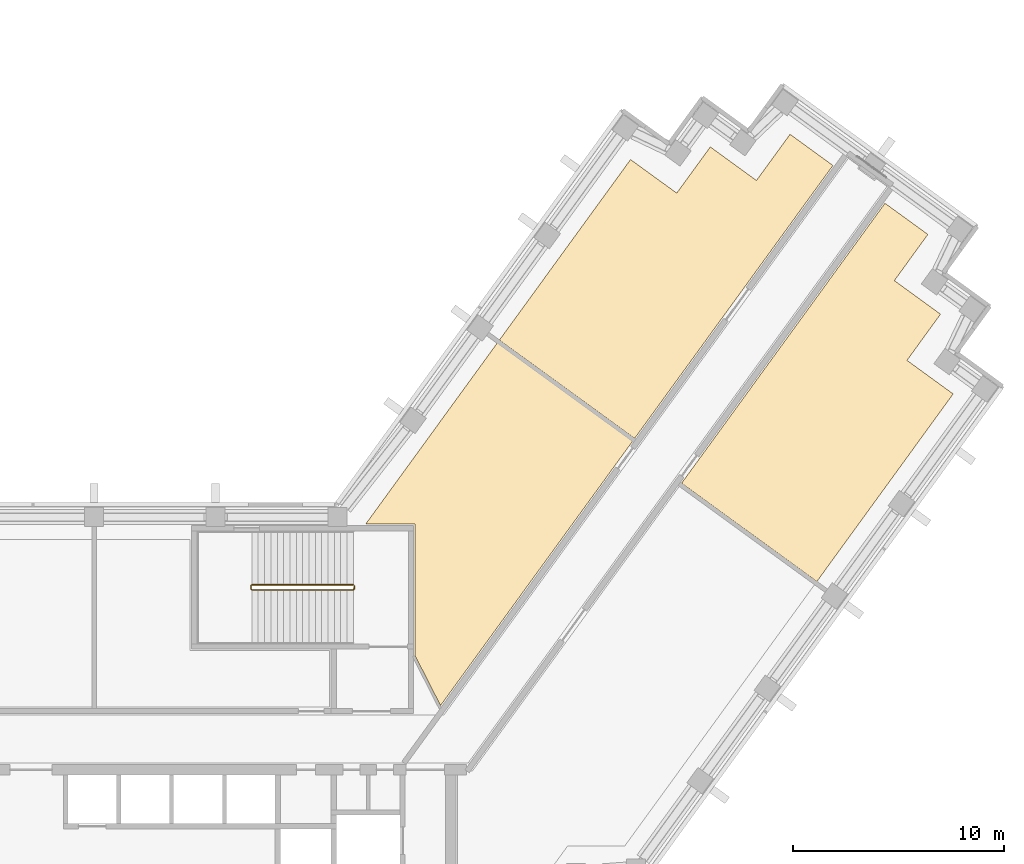
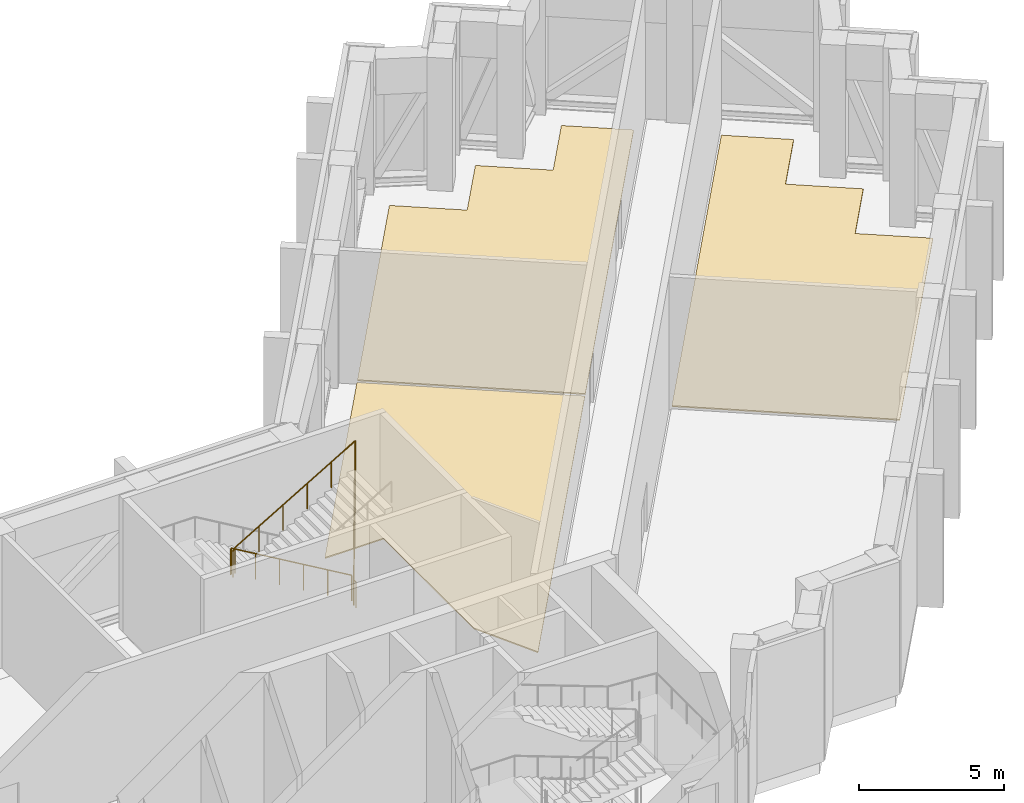
# One storey, part 16 of 16: 3 coverings, 1 railing.
"""IFC4 building model written with IfcOpenShell, lengths in metres."""

from ifc_helpers import new_model, si_unit, direction, frame, origin, origin_2d, place, context, subcontext, project, spatial, polyline, circle, outline, extrude, material, layer, layer_set, type_object, element, save


model = new_model("IFC4")

# Units and contexts
model_context = context("Model", 3, precision=1e-05, world=origin(), true_north=direction((0.0, 1.0)))
body_context = subcontext(model_context, "Body", "Model", "MODEL_VIEW")
ifc_project = project(units=[si_unit("LENGTHUNIT", "METRE"), si_unit("AREAUNIT", "SQUARE_METRE"), si_unit("VOLUMEUNIT", "CUBIC_METRE"), si_unit("PLANEANGLEUNIT", "RADIAN"), si_unit("MASSUNIT", "GRAM", prefix="KILO")], contexts=[model_context])

# Site, building, storey
site_placement = place(None, origin())
site = spatial("IfcSite", under=ifc_project, at=site_placement, CompositionType="ELEMENT")
building_placement = place(site_placement, origin())
building = spatial("IfcBuilding", under=site, at=building_placement, Name="Quipu Civic Tower", CompositionType="ELEMENT")
storey_placement = place(building_placement, frame((0.0, 0.0, 133.0)))
storey = spatial("IfcBuildingStorey", under=building, at=storey_placement, Name="L31", CompositionType="ELEMENT", Elevation=133.0)

# Coverings
ifc_material_1 = material(Name="Sealed cement screed")
ifc_layer = layer(ifc_material_1, 0.050048828125)
ifc_layer_set = layer_set([ifc_layer], Name="Sealed cement screed")
covering_type = type_object("IfcCoveringType", Name="Sealed screed floor finish 50", PredefinedType="FLOORING", material=ifc_layer_set)
covering_1_placement = place(storey_placement, origin())
element("IfcCovering", 1, at=covering_1_placement, inside=storey, type_object=covering_type, Name="Sealed screed floor finish 50", PredefinedType="FLOORING", context=body_context, shape_type="SweptSolid", body=[
    extrude(outline(polyline([(15.73193359375, 10.169921875), (21.971923828125, 18.758056640625), (28.37109375, 14.10888671875), (19.27197265625, 1.583984375), (18.070068359375, 3.94189453125), (18.070068359375, 10.1689453125), (15.73193359375, 10.169921875)])), origin(), (0.0, 0.0, 1.0), 0.050048828125),
])
covering_2_placement = place(storey_placement, origin())
element("IfcCovering", 2, at=covering_2_placement, inside=storey, type_object=covering_type, Name="Sealed screed floor finish 50", PredefinedType="FLOORING", context=body_context, shape_type="SweptSolid", body=[
    extrude(outline(polyline([(22.054931640625, 18.87109375), (28.258056640625, 27.409912109375), (30.44189453125, 25.823974609375), (32.030029296875, 28.008056640625), (34.212890625, 26.4208984375), (35.801025390625, 28.60498046875), (37.83203125, 27.1298828125), (28.4541015625, 14.221923828125), (22.054931640625, 18.87109375)])), origin(), (0.0, 0.0, 1.0), 0.050048828125),
])
covering_3_placement = place(storey_placement, origin())
element("IfcCovering", 3, at=covering_3_placement, inside=storey, type_object=covering_type, Name="Sealed screed floor finish 50", PredefinedType="FLOORING", context=body_context, shape_type="SweptSolid", body=[
    extrude(outline(polyline([(30.673095703125, 12.10302734375), (40.291015625, 25.343017578125), (42.322021484375, 23.867919921875), (40.736083984375, 21.68408203125), (42.9189453125, 20.096923828125), (41.3330078125, 17.910888671875), (43.51708984375, 16.324951171875), (37.072021484375, 7.4541015625), (30.673095703125, 12.10302734375)])), origin(), (0.0, 0.0, 1.0), 0.050048828125),
])

# Railing
ifc_material_2 = material(Name="Stainless steel", Category="steel")
railing_type = type_object("IfcRailingType", Name="Stair guard 1100", PredefinedType="GUARDRAIL", material=ifc_material_2)
railing_placement = place(storey_placement, frame((15.14990234375, 7.300048828125, 0.176513671875)))
element("IfcRailing", 4, at=railing_placement, inside=storey, type_object=railing_type, Name="Stair 4 guard", PredefinedType="GUARDRAIL", context=body_context, shape_type="SweptSolid", body=[
    extrude(circle(Radius=0.02392578125, at=origin_2d()), frame((0.0, 0.0, 1.076171875), z_axis=(-0.86192857992, 0.0, 0.507029706346), x_axis=(0.0, -1.0, 0.0)), (0.0, 0.0, 1.0), 5.568603515625),
    extrude(circle(Radius=0.02392578125, at=origin_2d()), frame((-4.7998046875, 0.0, 3.8994140625), z_axis=(-0.707106781187, -0.707106781187, 0.0), x_axis=(0.707106781187, -0.707106781187, 0.0)), (0.0, 0.0, 1.0), 0.07080078125),
    extrude(circle(Radius=0.02392578125, at=origin_2d()), frame((-4.849853515625, -0.050048828125, 3.8994140625), z_axis=(0.0, -1.0, 0.0), x_axis=(1.0, 0.0, 0.0)), (0.0, 0.0, 1.0), 0.14990234375),
    extrude(circle(Radius=0.02392578125, at=origin_2d()), frame((-4.849853515625, -0.199951171875, 3.8994140625), z_axis=(0.263171338983, -0.263171338983, 0.928160380902), x_axis=(0.707106781187, 0.707106781187, 0.0)), (0.0, 0.0, 1.0), 0.190185546875),
    extrude(circle(Radius=0.02392578125, at=origin_2d()), frame((-4.7998046875, -0.25, 4.076171875), z_axis=(0.86192857992, 0.0, 0.507029706346), x_axis=(0.0, 1.0, 0.0)), (0.0, 0.0, 1.0), 5.568603515625),
    extrude(circle(Radius=0.02392578125, at=origin_2d()), frame((0.0, -0.25, 6.8994140625), z_axis=(0.008336553618, 0.033305548356, -0.999410447375), x_axis=(-0.970072785993, 0.242814311512, 0.0)), (0.0, 0.0, 1.0), 6.00341796875),
    extrude(circle(Radius=0.02392578125, at=origin_2d()), frame((0.050048828125, -0.050048828125, 0.8994140625), z_axis=(0.0, -1.0, 0.0), x_axis=(1.0, 0.0, 0.0)), (0.0, 0.0, 1.0), 0.14990234375),
    extrude(circle(Radius=0.02099609375, at=origin_2d()), origin(), (0.0, 0.0, 1.0), 1.052001953125),
    extrude(circle(Radius=0.02099609375, at=origin_2d()), frame((-0.9599609375, 0.0, 0.564697265625)), (0.0, 0.0, 1.0), 1.052001953125),
    extrude(circle(Radius=0.02099609375, at=origin_2d()), frame((-1.919921875, 0.0, 1.12939453125)), (0.0, 0.0, 1.0), 1.052001953125),
    extrude(circle(Radius=0.02099609375, at=origin_2d()), frame((-2.8798828125, 0.0, 1.694091796875)), (0.0, 0.0, 1.0), 1.052001953125),
    extrude(circle(Radius=0.02099609375, at=origin_2d()), frame((-3.83984375, 0.0, 2.2587890625)), (0.0, 0.0, 1.0), 1.052001953125),
    extrude(circle(Radius=0.02099609375, at=origin_2d()), frame((-4.7998046875, 0.0, 2.823486328125)), (0.0, 0.0, 1.0), 1.052001953125),
    extrude(circle(Radius=0.02099609375, at=origin_2d()), frame((-4.849853515625, -0.050048828125, 2.823486328125)), (0.0, 0.0, 1.0), 1.052001953125),
    extrude(circle(Radius=0.02099609375, at=origin_2d()), frame((-4.849853515625, -0.199951171875, 2.823486328125)), (0.0, 0.0, 1.0), 1.052001953125),
    extrude(circle(Radius=0.02099609375, at=origin_2d()), frame((-4.7998046875, -0.25, 3.0)), (0.0, 0.0, 1.0), 1.052001953125),
    extrude(circle(Radius=0.02099609375, at=origin_2d()), frame((-3.83984375, -0.25, 3.564697265625)), (0.0, 0.0, 1.0), 1.052001953125),
    extrude(circle(Radius=0.02099609375, at=origin_2d()), frame((-2.8798828125, -0.25, 4.12939453125)), (0.0, 0.0, 1.0), 1.052001953125),
    extrude(circle(Radius=0.02099609375, at=origin_2d()), frame((-1.919921875, -0.25, 4.694091796875)), (0.0, 0.0, 1.0), 1.052001953125),
    extrude(circle(Radius=0.02099609375, at=origin_2d()), frame((-0.9599609375, -0.25, 5.2587890625)), (0.0, 0.0, 1.0), 1.052001953125),
    extrude(circle(Radius=0.02099609375, at=origin_2d()), frame((0.0, -0.25, 5.823486328125)), (0.0, 0.0, 1.0), 1.052001953125),
    extrude(circle(Radius=0.02099609375, at=origin_2d()), frame((0.00830078125, -0.216796875, 4.823486328125)), (0.0, 0.0, 1.0), 1.052001953125),
    extrude(circle(Radius=0.02099609375, at=origin_2d()), frame((0.0166015625, -0.183349609375, 3.823486328125)), (0.0, 0.0, 1.0), 1.052001953125),
    extrude(circle(Radius=0.02099609375, at=origin_2d()), frame((0.02490234375, -0.14990234375, 2.823486328125)), (0.0, 0.0, 1.0), 1.052001953125),
    extrude(circle(Radius=0.02099609375, at=origin_2d()), frame((0.033447265625, -0.11669921875, 1.823486328125)), (0.0, 0.0, 1.0), 1.052001953125),
    extrude(circle(Radius=0.02099609375, at=origin_2d()), frame((0.041748046875, -0.08349609375, 0.823486328125)), (0.0, 0.0, 1.0), 1.052001953125),
    extrude(circle(Radius=0.02099609375, at=origin_2d()), frame((0.050048828125, -0.050048828125, -0.176513671875)), (0.0, 0.0, 1.0), 1.052001953125),
    extrude(circle(Radius=0.02099609375, at=origin_2d()), frame((0.050048828125, -0.199951171875, -0.176513671875)), (0.0, 0.0, 1.0), 1.052001953125),
])

save(model, "model.ifc")
